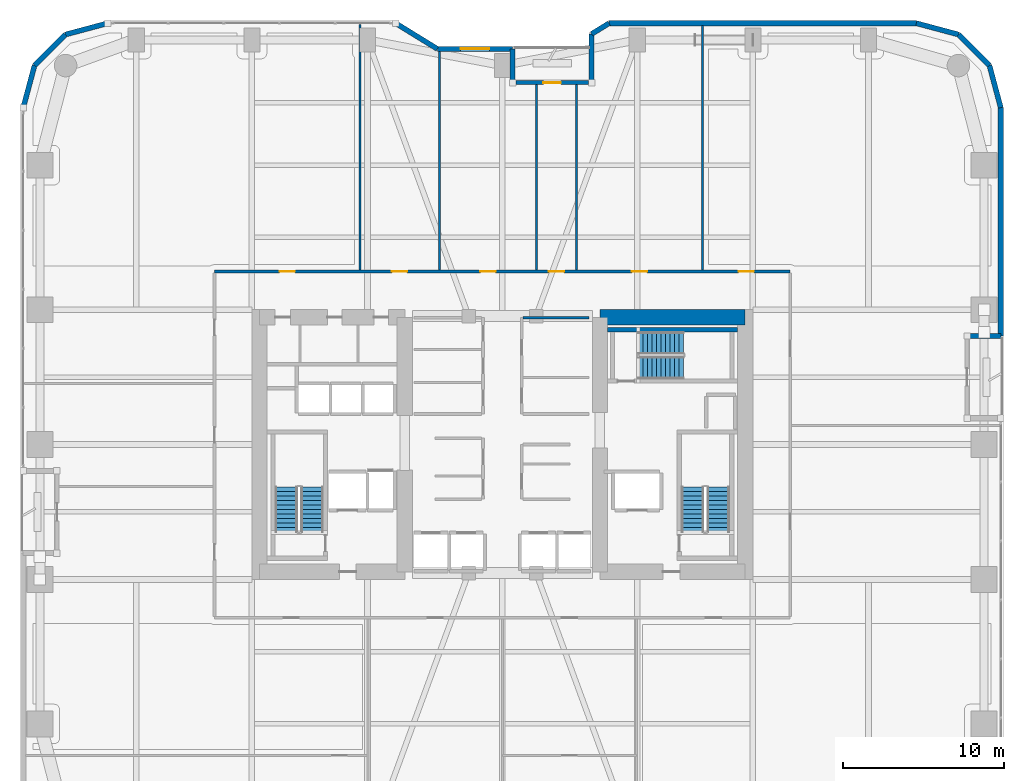
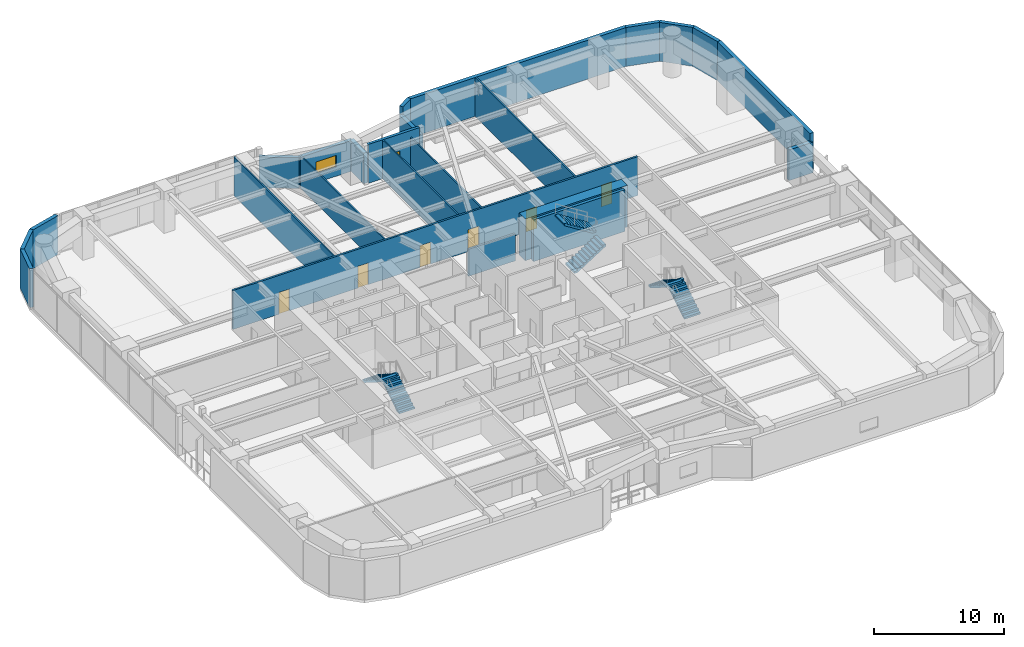
# One storey, part 25 of 28: 24 walls, 7 doors, 6 stair flights, 1 window, 8 openings, 3 elements without a shape of their own.
"""IFC4 building model written with IfcOpenShell, lengths in metres."""

from ifc_helpers import new_model, si_unit, direction, frame, frame_2d, origin, place, context, subcontext, project, spatial, polyline, rectangle, outline, extrude, material, layer, layer_set, type_object, element, fill, aggregate, save


model = new_model("IFC4")

# Units and contexts
model_context = context("Model", 3, precision=1e-05, world=origin(), true_north=direction((0.0, 1.0)))
body_context = subcontext(model_context, "Body", "Model", "MODEL_VIEW")
ifc_project = project(units=[si_unit("LENGTHUNIT", "METRE"), si_unit("AREAUNIT", "SQUARE_METRE"), si_unit("VOLUMEUNIT", "CUBIC_METRE"), si_unit("PLANEANGLEUNIT", "RADIAN"), si_unit("MASSUNIT", "GRAM", prefix="KILO")], contexts=[model_context])

# Site, building, storey
site_placement = place(None, origin())
site = spatial("IfcSite", under=ifc_project, at=site_placement, CompositionType="ELEMENT")
building_placement = place(site_placement, origin())
building = spatial("IfcBuilding", under=site, at=building_placement, Name="Kiyonajd Concourse Tower", CompositionType="ELEMENT")
storey_placement = place(building_placement, frame((0.0, 0.0, 37.199951171875)))
storey = spatial("IfcBuildingStorey", under=building, at=storey_placement, Name="L10", CompositionType="ELEMENT", Elevation=37.199951171875)

# Walls
ifc_material_1 = material(Name="Concrete C80/95", Category="concrete")
ifc_layer_1 = layer(ifc_material_1, 0.949951171875)
ifc_layer_set_1 = layer_set([ifc_layer_1], Name="Concrete C80/95")
wall_type_1 = type_object("IfcWallType", Name="WL-CORE-950", PredefinedType="SHEAR", material=ifc_layer_set_1)
wall_1_placement = place(storey_placement, frame((54.074951171875, 43.925048828125, 0.0), z_axis=(0.0, 0.0, 1.0), x_axis=(1.0, 0.0, 0.0)))
element("IfcWall", 1, at=wall_1_placement, inside=storey, type_object=wall_type_1, Name="L10 East Core North Shear Wall", PredefinedType="SHEAR", context=body_context, shape_type="SweptSolid", body=[
    extrude(rectangle(XDim=9.050048828125, YDim=0.949951171875, at=frame_2d((4.52490234375, 0.0))), origin(), (0.0, 0.0, 1.0), 3.900146484375),
])
ifc_material_2 = material(Name="Precast concrete C50/60", Category="concrete")
ifc_layer_2 = layer(ifc_material_2, 0.320068359375)
ifc_layer_set_2 = layer_set([ifc_layer_2], Name="Precast concrete C50/60")
wall_type_2 = type_object("IfcWallType", Name="WL-EXT-320", PredefinedType="SOLIDWALL", material=ifc_layer_set_2)
wall_2_placement = place(storey_placement, frame((18.159912109375, 56.97900390625, 0.0), z_axis=(0.0, 0.0, 1.0), x_axis=(0.25869736047, 0.965958423373, 0.0)))
element("IfcWall", 2, at=wall_2_placement, inside=storey, type_object=wall_type_2, Name="L10 Exterior Concrete Frame Wall 06", PredefinedType="SOLIDWALL", context=body_context, shape_type="SweptSolid", body=[
    extrude(rectangle(XDim=2.731201171875, YDim=0.320068359375, at=frame_2d((1.36572265625, 0.0))), origin(), (0.0, 0.0, 1.0), 3.64013671875),
])
wall_3_placement = place(storey_placement, frame((18.866455078125, 59.6171875, 0.0), z_axis=(0.0, 0.0, 1.0), x_axis=(0.707106781187, 0.707106781187, 0.0)))
element("IfcWall", 3, at=wall_3_placement, inside=storey, type_object=wall_type_2, Name="L10 Exterior Concrete Frame Wall 07", PredefinedType="SOLIDWALL", context=body_context, shape_type="SweptSolid", body=[
    extrude(rectangle(XDim=2.7099609375, YDim=0.320068359375, at=frame_2d((1.35498046875, 0.0))), origin(), (0.0, 0.0, 1.0), 3.64013671875),
])
wall_4_placement = place(storey_placement, frame((20.78271484375, 61.533447265625, 0.0), z_axis=(0.0, 0.0, 1.0), x_axis=(0.965964405026, 0.25867502435, 0.0)))
element("IfcWall", 4, at=wall_4_placement, inside=storey, type_object=wall_type_2, Name="L10 Exterior Concrete Frame Wall 08", PredefinedType="SOLIDWALL", context=body_context, shape_type="SweptSolid", body=[
    extrude(rectangle(XDim=2.7314453125, YDim=0.320068359375, at=frame_2d((1.36572265625, 0.0))), origin(), (0.0, 0.0, 1.0), 3.64013671875),
])
wall_5_placement = place(storey_placement, frame((41.354736328125, 62.239990234375, 0.0), z_axis=(0.0, 0.0, 1.0), x_axis=(0.851630857047, -0.524142044989, 0.0)))
element("IfcWall", 5, at=wall_5_placement, inside=storey, type_object=wall_type_2, Name="L10 Exterior Concrete Frame Wall 10", PredefinedType="SOLIDWALL", context=body_context, shape_type="SweptSolid", body=[
    extrude(rectangle(XDim=3.052734375, YDim=0.320068359375, at=frame_2d((1.5263671875, 0.0))), origin(), (0.0, 0.0, 1.0), 2.875),
])

# Wall, opening, window
wall_6_placement = place(storey_placement, frame((43.95458984375, 60.639892578125, 0.0), z_axis=(0.0, 0.0, 1.0), x_axis=(1.0, 0.0, 0.0)))
wall_6 = element("IfcWall", 6, at=wall_6_placement, inside=storey, type_object=wall_type_2, Name="L10 Exterior Concrete Frame Wall 11", PredefinedType="SOLIDWALL", context=body_context, shape_type="SweptSolid", body=[
    extrude(rectangle(XDim=4.685302734375, YDim=0.320068359375, at=frame_2d((2.3427734375, 0.0))), origin(), (0.0, 0.0, 1.0), 2.875),
])
opening_1_placement = place(wall_6_placement, frame((1.443115234375, 0.0, 0.85009765625)))
opening_1 = element("IfcOpeningElement", 7, at=opening_1_placement, cuts=wall_6, Name="Opening WN1", PredefinedType="OPENING", context=body_context, shape_type="SweptSolid", body=[
    extrude(rectangle(XDim=1.800048828125, YDim=1.10009765625, at=frame_2d((0.89990234375, 0.550048828125))), frame((0.0, 0.169921875, 0.0), z_axis=(0.0, -1.0, 0.0), x_axis=(1.0, 0.0, 0.0)), (0.0, 0.0, 1.0), 0.340087890625),
])
ifc_material_3 = material(Name="Double Low-E Insulated Glass", Category="glass")
window_type = type_object("IfcWindowType", Name="WN-VIS-1800x1100", PartitioningType="SINGLE_PANEL", PredefinedType="WINDOW", material=ifc_material_3)
window_placement = place(opening_1_placement, origin())
window = element("IfcWindow", 8, at=window_placement, inside=storey, type_object=window_type, Name="L10 Modular Facade Vision Window 11", OverallHeight=1.10009765625, OverallWidth=1.800048828125, PartitioningType="SINGLE_PANEL", PredefinedType="WINDOW", context=body_context, shape_type="SweptSolid", body=[
    extrude(rectangle(XDim=1.800048828125, YDim=1.10009765625, at=frame_2d((0.89990234375, 0.550048828125))), frame((0.0, 0.030029296875, 0.0), z_axis=(0.0, -1.0, 0.0), x_axis=(1.0, 0.0, 0.0)), (0.0, 0.0, 1.0), 0.06005859375),
])
fill(opening_1, window)

# Walls
wall_7_placement = place(storey_placement, frame((48.639892578125, 60.639892578125, 0.0), z_axis=(0.0, 0.0, 1.0), x_axis=(0.0, -1.0, 0.0)))
element("IfcWall", 9, at=wall_7_placement, inside=storey, type_object=wall_type_2, Name="L10 Exterior Concrete Frame Wall 12", PredefinedType="SOLIDWALL", context=body_context, shape_type="SweptSolid", body=[
    extrude(rectangle(XDim=2.099853515625, YDim=0.320068359375, at=frame_2d((1.0498046875, 0.0))), origin(), (0.0, 0.0, 1.0), 2.875),
])
wall_8_placement = place(storey_placement, frame((53.56005859375, 58.5400390625, 0.0), z_axis=(0.0, 0.0, 1.0), x_axis=(0.0, 1.0, 0.0)))
element("IfcWall", 10, at=wall_8_placement, inside=storey, type_object=wall_type_2, Name="L10 Exterior Concrete Frame Wall 14", PredefinedType="SOLIDWALL", context=body_context, shape_type="SweptSolid", body=[
    extrude(rectangle(XDim=3.032470703125, YDim=0.320068359375, at=frame_2d((1.51611328125, 0.0))), origin(), (0.0, 0.0, 1.0), 2.875),
])
wall_9_placement = place(storey_placement, frame((53.56005859375, 61.572509765625, 0.0), z_axis=(0.0, 0.0, 1.0), x_axis=(0.851776724646, 0.523904964045, 0.0)))
element("IfcWall", 11, at=wall_9_placement, inside=storey, type_object=wall_type_2, Name="L10 Exterior Concrete Frame Wall 15", PredefinedType="SOLIDWALL", context=body_context, shape_type="SweptSolid", body=[
    extrude(rectangle(XDim=1.274169921875, YDim=0.320068359375, at=frame_2d((0.63720703125, 0.0))), origin(), (0.0, 0.0, 1.0), 3.64013671875),
])
wall_10_placement = place(storey_placement, frame((54.645263671875, 62.239990234375, 0.0), z_axis=(0.0, 0.0, 1.0), x_axis=(1.0, 0.0, 0.0)))
element("IfcWall", 12, at=wall_10_placement, inside=storey, type_object=wall_type_2, Name="L10 Exterior Concrete Frame Wall 16", PredefinedType="SOLIDWALL", context=body_context, shape_type="SweptSolid", body=[
    extrude(rectangle(XDim=19.133544921875, YDim=0.320068359375, at=frame_2d((9.56689453125, 0.0))), origin(), (0.0, 0.0, 1.0), 3.64013671875),
])
wall_11_placement = place(storey_placement, frame((73.77880859375, 62.239990234375, 0.0), z_axis=(0.0, 0.0, 1.0), x_axis=(0.965964405026, -0.25867502435, 0.0)))
element("IfcWall", 13, at=wall_11_placement, inside=storey, type_object=wall_type_2, Name="L10 Exterior Concrete Frame Wall 17", PredefinedType="SOLIDWALL", context=body_context, shape_type="SweptSolid", body=[
    extrude(rectangle(XDim=2.7314453125, YDim=0.320068359375, at=frame_2d((1.36572265625, 0.0))), origin(), (0.0, 0.0, 1.0), 3.64013671875),
])
wall_12_placement = place(storey_placement, frame((76.417236328125, 61.533447265625, 0.0), z_axis=(0.0, 0.0, 1.0), x_axis=(0.707106781187, -0.707106781187, 0.0)))
element("IfcWall", 14, at=wall_12_placement, inside=storey, type_object=wall_type_2, Name="L10 Exterior Concrete Frame Wall 18", PredefinedType="SOLIDWALL", context=body_context, shape_type="SweptSolid", body=[
    extrude(rectangle(XDim=2.7099609375, YDim=0.320068359375, at=frame_2d((1.35498046875, 0.0))), origin(), (0.0, 0.0, 1.0), 3.64013671875),
])
wall_13_placement = place(storey_placement, frame((78.33349609375, 59.6171875, 0.0), z_axis=(0.0, 0.0, 1.0), x_axis=(0.25869736047, -0.965958423373, 0.0)))
element("IfcWall", 15, at=wall_13_placement, inside=storey, type_object=wall_type_2, Name="L10 Exterior Concrete Frame Wall 19", PredefinedType="SOLIDWALL", context=body_context, shape_type="SweptSolid", body=[
    extrude(rectangle(XDim=2.731201171875, YDim=0.320068359375, at=frame_2d((1.36572265625, 0.0))), origin(), (0.0, 0.0, 1.0), 3.64013671875),
])
wall_14_placement = place(storey_placement, frame((79.0400390625, 56.97900390625, 0.0), z_axis=(0.0, 0.0, 1.0), x_axis=(0.0, -1.0, 0.0)))
element("IfcWall", 16, at=wall_14_placement, inside=storey, type_object=wall_type_2, Name="L10 Exterior Concrete Frame Wall 20", PredefinedType="SOLIDWALL", context=body_context, shape_type="SweptSolid", body=[
    extrude(rectangle(XDim=14.218994140625, YDim=0.320068359375, at=frame_2d((7.109375, 0.0))), origin(), (0.0, 0.0, 1.0), 3.64013671875),
])
wall_15_placement = place(storey_placement, frame((79.0400390625, 42.760009765625, 0.0), z_axis=(0.0, 0.0, 1.0), x_axis=(-1.0, 0.0, 0.0)))
element("IfcWall", 17, at=wall_15_placement, inside=storey, type_object=wall_type_2, Name="L10 Exterior Concrete Frame Wall 21", PredefinedType="SOLIDWALL", context=body_context, shape_type="SweptSolid", body=[
    extrude(rectangle(XDim=2.10009765625, YDim=0.320068359375, at=frame_2d((1.050048828125, 0.0))), origin(), (0.0, 0.0, 1.0), 2.875),
])

# Wall, opening, door
ifc_layer_3 = layer(ifc_material_2, 0.239990234375)
ifc_layer_set_3 = layer_set([ifc_layer_3], Name="Precast concrete C50/60")
wall_type_3 = type_object("IfcWallType", Name="WL-LOG-240", PredefinedType="SOLIDWALL", material=ifc_layer_set_3)
wall_16_placement = place(storey_placement, frame((48.8349609375, 58.5400390625, 0.0), z_axis=(0.0, 0.0, 1.0), x_axis=(1.0, 0.0, 0.0)))
wall_16 = element("IfcWall", 18, at=wall_16_placement, inside=storey, type_object=wall_type_3, Name="L10 Recessed Loggia Thermal Wall LOG-N", PredefinedType="SOLIDWALL", context=body_context, shape_type="SweptSolid", body=[
    extrude(rectangle(XDim=4.530029296875, YDim=0.239990234375, at=frame_2d((2.26513671875, 0.0))), origin(), (0.0, 0.0, 1.0), 3.64013671875),
])
opening_2_placement = place(wall_16_placement, frame((1.715087890625, 0.0, 0.0)))
opening_2 = element("IfcOpeningElement", 19, at=opening_2_placement, cuts=wall_16, Name="Opening DL2", PredefinedType="OPENING", context=body_context, shape_type="SweptSolid", body=[
    extrude(rectangle(XDim=1.10009765625, YDim=2.0400390625, at=frame_2d((0.550048828125, 1.02001953125))), frame((0.0, 0.1298828125, 0.0), z_axis=(0.0, -1.0, 0.0), x_axis=(1.0, 0.0, 0.0)), (0.0, 0.0, 1.0), 0.260009765625),
])
ifc_material_4 = material(Name="Thermally Broken Anodised Aluminium", Category="aluminium")
door_type_1 = type_object("IfcDoorType", Name="DR-LOG-1100", OperationType="NOTDEFINED", PredefinedType="DOOR", material=ifc_material_4)
door_1_placement = place(opening_2_placement, origin())
door_1 = element("IfcDoor", 20, at=door_1_placement, inside=storey, type_object=door_type_1, Name="L10 Engawa Loggia Access Door LOG-N", OperationType="SINGLE_SWING_RIGHT", OverallHeight=2.0400390625, OverallWidth=1.10009765625, PredefinedType="DOOR", context=body_context, shape_type="SweptSolid", body=[
    extrude(rectangle(XDim=1.10009765625, YDim=2.0400390625, at=frame_2d((0.550048828125, 1.02001953125))), frame((0.0, 0.02490234375, 0.0), z_axis=(0.0, -1.0, 0.0), x_axis=(1.0, 0.0, 0.0)), (0.0, 0.0, 1.0), 0.050048828125),
])
fill(opening_2, door_1)

# Walls
ifc_material_5 = material(Name="Gypsum Board on Cold-Formed Steel Stud", Category="steel")
ifc_layer_4 = layer(ifc_material_5, 0.125)
ifc_layer_set_4 = layer_set([ifc_layer_4], Name="Gypsum Board on Cold-Formed Steel Stud")
wall_type_4 = type_object("IfcWallType", Name="WL-PART-125", PredefinedType="PARTITIONING", material=ifc_layer_set_4)
wall_17_placement = place(storey_placement, frame((39.1298828125, 46.866943359375, 0.0), z_axis=(0.0, 0.0, 1.0), x_axis=(0.0, 1.0, 0.0)))
element("IfcWall", 21, at=wall_17_placement, inside=storey, type_object=wall_type_4, Name="L10 Interior Partition Wall", PredefinedType="PARTITIONING", context=body_context, shape_type="SweptSolid", body=[
    extrude(rectangle(XDim=15.2880859375, YDim=0.125, at=frame_2d((7.64404296875, 0.0))), origin(), (0.0, 0.0, 1.0), 3.64013671875),
])
wall_18_placement = place(storey_placement, frame((44.070068359375, 46.866943359375, 0.0), z_axis=(0.0, 0.0, 1.0), x_axis=(0.0, 1.0, 0.0)))
element("IfcWall", 22, at=wall_18_placement, inside=storey, type_object=wall_type_4, Name="L10 Interior Partition Wall", PredefinedType="PARTITIONING", context=body_context, shape_type="SweptSolid", body=[
    extrude(rectangle(XDim=13.6181640625, YDim=0.125, at=frame_2d((6.80908203125, 0.0))), origin(), (0.0, 0.0, 1.0), 3.0029296875),
])
wall_19_placement = place(storey_placement, frame((50.1298828125, 46.866943359375, 0.0), z_axis=(0.0, 0.0, 1.0), x_axis=(0.0, 1.0, 0.0)))
element("IfcWall", 23, at=wall_19_placement, inside=storey, type_object=wall_type_4, Name="L10 Interior Partition Wall", PredefinedType="PARTITIONING", context=body_context, shape_type="SweptSolid", body=[
    extrude(rectangle(XDim=11.55810546875, YDim=0.125, at=frame_2d((5.779052734375, 0.0))), origin(), (0.0, 0.0, 1.0), 3.64013671875),
])
wall_20_placement = place(storey_placement, frame((52.610107421875, 46.866943359375, 0.0), z_axis=(0.0, 0.0, 1.0), x_axis=(0.0, 1.0, 0.0)))
element("IfcWall", 24, at=wall_20_placement, inside=storey, type_object=wall_type_4, Name="L10 Interior Partition Wall", PredefinedType="PARTITIONING", context=body_context, shape_type="SweptSolid", body=[
    extrude(rectangle(XDim=11.55810546875, YDim=0.125, at=frame_2d((5.779052734375, 0.0))), origin(), (0.0, 0.0, 1.0), 3.0029296875),
])
wall_21_placement = place(storey_placement, frame((60.4599609375, 46.866943359375, 0.0), z_axis=(0.0, 0.0, 1.0), x_axis=(0.0, 1.0, 0.0)))
element("IfcWall", 25, at=wall_21_placement, inside=storey, type_object=wall_type_4, Name="L10 Interior Partition Wall", PredefinedType="PARTITIONING", context=body_context, shape_type="SweptSolid", body=[
    extrude(rectangle(XDim=15.218017578125, YDim=0.125, at=frame_2d((7.60888671875, 0.0))), origin(), (0.0, 0.0, 1.0), 3.64013671875),
])
ifc_layer_5 = layer(ifc_material_5, 0.169921875)
ifc_layer_set_5 = layer_set([ifc_layer_5], Name="Gypsum Board on Cold-Formed Steel Stud")
wall_type_5 = type_object("IfcWallType", Name="WL-SMK-170", PredefinedType="PARTITIONING", material=ifc_layer_set_5)
wall_22_placement = place(storey_placement, frame((49.287109375, 43.89990234375, 0.0), z_axis=(0.0, 0.0, 1.0), x_axis=(1.0, 0.0, 0.0)))
element("IfcWall", 26, at=wall_22_placement, inside=storey, type_object=wall_type_5, Name="L10 Interior Partition Wall", PredefinedType="PARTITIONING", context=body_context, shape_type="SweptSolid", body=[
    extrude(rectangle(XDim=4.11279296875, YDim=0.169921875, at=frame_2d((2.056396484375, 0.0))), origin(), (0.0, 0.0, 1.0), 2.525146484375),
])

# Wall, openings, doors
wall_23_placement = place(storey_placement, frame((30.074951171875, 46.780029296875, 0.0), z_axis=(0.0, 0.0, 1.0), x_axis=(1.0, 0.0, 0.0)))
wall_23 = element("IfcWall", 27, at=wall_23_placement, inside=storey, type_object=wall_type_5, Name="L10 Interior Partition Wall", PredefinedType="PARTITIONING", context=body_context, shape_type="SweptSolid", body=[
    extrude(rectangle(XDim=35.85009765625, YDim=0.169921875, at=frame_2d((17.925048828125, 0.0))), origin(), (0.0, 0.0, 1.0), 3.64013671875),
])
opening_3_placement = place(wall_23_placement, frame((4.052978515625, 0.0, 0.0)))
opening_3 = element("IfcOpeningElement", 28, at=opening_3_placement, cuts=wall_23, Name="Opening DI1", PredefinedType="OPENING", context=body_context, shape_type="SweptSolid", body=[
    extrude(rectangle(XDim=0.949951171875, YDim=2.0400390625, at=frame_2d((0.47509765625, 1.02001953125))), frame((0.0, 0.094970703125, 0.0), z_axis=(0.0, -1.0, 0.0), x_axis=(1.0, 0.0, 0.0)), (0.0, 0.0, 1.0), 0.18994140625),
])
opening_4_placement = place(wall_23_placement, frame((11.050048828125, 0.0, 0.0)))
opening_4 = element("IfcOpeningElement", 29, at=opening_4_placement, cuts=wall_23, Name="Opening DI1", PredefinedType="OPENING", context=body_context, shape_type="SweptSolid", body=[
    extrude(rectangle(XDim=0.949951171875, YDim=2.0400390625, at=frame_2d((0.47509765625, 1.02001953125))), frame((0.0, 0.094970703125, 0.0), z_axis=(0.0, -1.0, 0.0), x_axis=(1.0, 0.0, 0.0)), (0.0, 0.0, 1.0), 0.18994140625),
])
opening_5_placement = place(wall_23_placement, frame((16.550048828125, 0.0, 0.0)))
opening_5 = element("IfcOpeningElement", 30, at=opening_5_placement, cuts=wall_23, Name="Opening DI1", PredefinedType="OPENING", context=body_context, shape_type="SweptSolid", body=[
    extrude(rectangle(XDim=0.949951171875, YDim=2.0400390625, at=frame_2d((0.47509765625, 1.02001953125))), frame((0.0, 0.094970703125, 0.0), z_axis=(0.0, -1.0, 0.0), x_axis=(1.0, 0.0, 0.0)), (0.0, 0.0, 1.0), 0.18994140625),
])
opening_6_placement = place(wall_23_placement, frame((20.820068359375, 0.0, 0.0)))
opening_6 = element("IfcOpeningElement", 31, at=opening_6_placement, cuts=wall_23, Name="Opening DI1", PredefinedType="OPENING", context=body_context, shape_type="SweptSolid", body=[
    extrude(rectangle(XDim=0.949951171875, YDim=2.0400390625, at=frame_2d((0.47509765625, 1.02001953125))), frame((0.0, 0.094970703125, 0.0), z_axis=(0.0, -1.0, 0.0), x_axis=(1.0, 0.0, 0.0)), (0.0, 0.0, 1.0), 0.18994140625),
])
opening_7_placement = place(wall_23_placement, frame((25.985107421875, 0.0, 0.0)))
opening_7 = element("IfcOpeningElement", 32, at=opening_7_placement, cuts=wall_23, Name="Opening DI1", PredefinedType="OPENING", context=body_context, shape_type="SweptSolid", body=[
    extrude(rectangle(XDim=0.949951171875, YDim=2.0400390625, at=frame_2d((0.47509765625, 1.02001953125))), frame((0.0, 0.094970703125, 0.0), z_axis=(0.0, -1.0, 0.0), x_axis=(1.0, 0.0, 0.0)), (0.0, 0.0, 1.0), 0.18994140625),
])
opening_8_placement = place(wall_23_placement, frame((32.64306640625, 0.0, 0.0)))
opening_8 = element("IfcOpeningElement", 33, at=opening_8_placement, cuts=wall_23, Name="Opening DI1", PredefinedType="OPENING", context=body_context, shape_type="SweptSolid", body=[
    extrude(rectangle(XDim=0.949951171875, YDim=2.0400390625, at=frame_2d((0.47509765625, 1.02001953125))), frame((0.0, 0.094970703125, 0.0), z_axis=(0.0, -1.0, 0.0), x_axis=(1.0, 0.0, 0.0)), (0.0, 0.0, 1.0), 0.18994140625),
])
ifc_material_6 = material(Name="Natural Oak Acoustic Timber Veneer", Category="wood")
door_type_2 = type_object("IfcDoorType", Name="DR-INT-950", OperationType="NOTDEFINED", PredefinedType="DOOR", material=ifc_material_6)
door_2_placement = place(opening_3_placement, origin())
door_2 = element("IfcDoor", 34, at=door_2_placement, inside=storey, type_object=door_type_2, Name="L10 Interior Door", OperationType="SINGLE_SWING_RIGHT", OverallHeight=2.0400390625, OverallWidth=0.949951171875, PredefinedType="DOOR", context=body_context, shape_type="SweptSolid", body=[
    extrude(rectangle(XDim=0.949951171875, YDim=2.0400390625, at=frame_2d((0.47509765625, 1.02001953125))), frame((0.0, 0.02490234375, 0.0), z_axis=(0.0, -1.0, 0.0), x_axis=(1.0, 0.0, 0.0)), (0.0, 0.0, 1.0), 0.050048828125),
])
fill(opening_3, door_2)
door_3_placement = place(opening_4_placement, origin())
door_3 = element("IfcDoor", 35, at=door_3_placement, inside=storey, type_object=door_type_2, Name="L10 Interior Door", OperationType="SINGLE_SWING_LEFT", OverallHeight=2.0400390625, OverallWidth=0.949951171875, PredefinedType="DOOR", context=body_context, shape_type="SweptSolid", body=[
    extrude(rectangle(XDim=0.949951171875, YDim=2.0400390625, at=frame_2d((0.47509765625, 1.02001953125))), frame((0.0, 0.02490234375, 0.0), z_axis=(0.0, -1.0, 0.0), x_axis=(1.0, 0.0, 0.0)), (0.0, 0.0, 1.0), 0.050048828125),
])
fill(opening_4, door_3)
door_4_placement = place(opening_5_placement, origin())
door_4 = element("IfcDoor", 36, at=door_4_placement, inside=storey, type_object=door_type_2, Name="L10 Interior Door", OperationType="SINGLE_SWING_RIGHT", OverallHeight=2.0400390625, OverallWidth=0.949951171875, PredefinedType="DOOR", context=body_context, shape_type="SweptSolid", body=[
    extrude(rectangle(XDim=0.949951171875, YDim=2.0400390625, at=frame_2d((0.47509765625, 1.02001953125))), frame((0.0, 0.02490234375, 0.0), z_axis=(0.0, -1.0, 0.0), x_axis=(1.0, 0.0, 0.0)), (0.0, 0.0, 1.0), 0.050048828125),
])
fill(opening_5, door_4)
door_5_placement = place(opening_6_placement, origin())
door_5 = element("IfcDoor", 37, at=door_5_placement, inside=storey, type_object=door_type_2, Name="L10 Interior Door", OperationType="SINGLE_SWING_LEFT", OverallHeight=2.0400390625, OverallWidth=0.949951171875, PredefinedType="DOOR", context=body_context, shape_type="SweptSolid", body=[
    extrude(rectangle(XDim=0.949951171875, YDim=2.0400390625, at=frame_2d((0.47509765625, 1.02001953125))), frame((0.0, 0.02490234375, 0.0), z_axis=(0.0, -1.0, 0.0), x_axis=(1.0, 0.0, 0.0)), (0.0, 0.0, 1.0), 0.050048828125),
])
fill(opening_6, door_5)
door_6_placement = place(opening_7_placement, origin())
door_6 = element("IfcDoor", 38, at=door_6_placement, inside=storey, type_object=door_type_2, Name="L10 Interior Door", OperationType="SINGLE_SWING_RIGHT", OverallHeight=2.0400390625, OverallWidth=0.949951171875, PredefinedType="DOOR", context=body_context, shape_type="SweptSolid", body=[
    extrude(rectangle(XDim=0.949951171875, YDim=2.0400390625, at=frame_2d((0.47509765625, 1.02001953125))), frame((0.0, 0.02490234375, 0.0), z_axis=(0.0, -1.0, 0.0), x_axis=(1.0, 0.0, 0.0)), (0.0, 0.0, 1.0), 0.050048828125),
])
fill(opening_7, door_6)
door_7_placement = place(opening_8_placement, origin())
door_7 = element("IfcDoor", 39, at=door_7_placement, inside=storey, type_object=door_type_2, Name="L10 Interior Door", OperationType="SINGLE_SWING_LEFT", OverallHeight=2.0400390625, OverallWidth=0.949951171875, PredefinedType="DOOR", context=body_context, shape_type="SweptSolid", body=[
    extrude(rectangle(XDim=0.949951171875, YDim=2.0400390625, at=frame_2d((0.47509765625, 1.02001953125))), frame((0.0, 0.02490234375, 0.0), z_axis=(0.0, -1.0, 0.0), x_axis=(1.0, 0.0, 0.0)), (0.0, 0.0, 1.0), 0.050048828125),
])
fill(opening_8, door_7)

# Wall
ifc_material_7 = material(Name="Concrete C50/60", Category="concrete")
ifc_layer_6 = layer(ifc_material_7, 0.260009765625)
ifc_layer_set_6 = layer_set([ifc_layer_6], Name="Concrete C50/60")
wall_type_6 = type_object("IfcWallType", Name="WL-STAIR-260", PredefinedType="SHEAR", material=ifc_layer_set_6)
wall_24_placement = place(storey_placement, frame((54.550048828125, 43.14990234375, 0.0), z_axis=(0.0, 0.0, 1.0), x_axis=(1.0, 0.0, 0.0)))
element("IfcWall", 40, at=wall_24_placement, inside=storey, type_object=wall_type_6, Name="L10 Stair ST3 Structural North Wall", PredefinedType="SHEAR", context=body_context, shape_type="SweptSolid", body=[
    extrude(rectangle(XDim=8.099853515625, YDim=0.260009765625, at=frame_2d((4.0498046875, 0.0))), origin(), (0.0, 0.0, 1.0), 3.900146484375),
])

# Stair, stair flights
ifc_material_8 = material(Name="Concrete C40/50", Category="concrete")
stair_type = type_object("IfcStairType", Name="ST-DLG-22R", PredefinedType="HALF_TURN_STAIR", material=ifc_material_8)
stair_1_placement = place(storey_placement, origin())
stair_1 = element("IfcStair", 41, at=stair_1_placement, inside=storey, type_object=stair_type, Name="L10 Protected Exit Stair ST1", PredefinedType="HALF_TURN_STAIR")
stair_flight_type = type_object("IfcStairFlightType", Name="SF-STR-22R", PredefinedType="STRAIGHT", material=ifc_material_8)
stair_flight_1_placement = place(storey_placement, frame((36.14990234375, 30.550048828125, 0.0), z_axis=(0.0, 0.0, 1.0), x_axis=(0.0, 1.0, 0.0)))
stair_flight_1 = element("IfcStairFlight", 42, at=stair_flight_1_placement, type_object=stair_flight_type, Name="ST1 flight 1", NumberOfRisers=11, NumberOfTreads=10, PredefinedType="STRAIGHT", RiserHeight=0.177272727, TreadLength=0.28, context=body_context, shape_type="SweptSolid", body=[
    extrude(outline(polyline([(0.0, 0.0), (0.0, 0.17724609375), (0.280029296875, 0.17724609375), (0.280029296875, 0.3544921875), (0.56005859375, 0.3544921875), (0.56005859375, 0.53173828125), (0.840087890625, 0.53173828125), (0.840087890625, 0.708984375), (1.1201171875, 0.708984375), (1.1201171875, 0.886474609375), (1.39990234375, 0.886474609375), (1.39990234375, 1.063720703125), (1.679931640625, 1.063720703125), (1.679931640625, 1.240966796875), (1.9599609375, 1.240966796875), (1.9599609375, 1.418212890625), (2.239990234375, 1.418212890625), (2.239990234375, 1.595458984375), (2.52001953125, 1.595458984375), (2.52001953125, 1.772705078125), (2.800048828125, 1.772705078125), (2.800048828125, 1.949951171875), (2.800048828125, 1.59521484375), (0.2802734375, 0.0), (0.0, 0.0)])), frame((0.0, 0.699951171875, 0.0), z_axis=(0.0, -1.0, 0.0), x_axis=(1.0, 0.0, 0.0)), (0.0, 0.0, 1.0), 1.39990234375),
])
stair_flight_2_placement = place(storey_placement, frame((34.550048828125, 33.35009765625, 1.949951171875), z_axis=(0.0, 0.0, 1.0), x_axis=(0.0, -1.0, 0.0)))
stair_flight_2 = element("IfcStairFlight", 43, at=stair_flight_2_placement, type_object=stair_flight_type, Name="ST1 flight 2", NumberOfRisers=11, NumberOfTreads=10, PredefinedType="STRAIGHT", RiserHeight=0.177272727, TreadLength=0.28, context=body_context, shape_type="SweptSolid", body=[
    extrude(outline(polyline([(0.0, 0.0), (0.0, 0.17724609375), (0.280029296875, 0.17724609375), (0.280029296875, 0.3544921875), (0.56005859375, 0.3544921875), (0.56005859375, 0.53173828125), (0.840087890625, 0.53173828125), (0.840087890625, 0.708984375), (1.1201171875, 0.708984375), (1.1201171875, 0.886474609375), (1.39990234375, 0.886474609375), (1.39990234375, 1.063720703125), (1.679931640625, 1.063720703125), (1.679931640625, 1.240966796875), (1.9599609375, 1.240966796875), (1.9599609375, 1.418212890625), (2.239990234375, 1.418212890625), (2.239990234375, 1.595458984375), (2.52001953125, 1.595458984375), (2.52001953125, 1.772705078125), (2.800048828125, 1.772705078125), (2.800048828125, 1.949951171875), (2.800048828125, 1.59521484375), (0.2802734375, 0.0), (0.0, 0.0)])), frame((0.0, 0.699951171875, 0.0), z_axis=(0.0, -1.0, 0.0), x_axis=(1.0, 0.0, 0.0)), (0.0, 0.0, 1.0), 1.39990234375),
])
aggregate(stair_1, [stair_flight_1, stair_flight_2])

stair_2_placement = place(storey_placement, origin())
stair_2 = element("IfcStair", 44, at=stair_2_placement, inside=storey, type_object=stair_type, Name="L10 Protected Exit Stair ST2", PredefinedType="HALF_TURN_STAIR")
stair_flight_3_placement = place(storey_placement, frame((61.449951171875, 30.550048828125, 0.0), z_axis=(0.0, 0.0, 1.0), x_axis=(0.0, 1.0, 0.0)))
stair_flight_3 = element("IfcStairFlight", 45, at=stair_flight_3_placement, type_object=stair_flight_type, Name="ST2 flight 1", NumberOfRisers=11, NumberOfTreads=10, PredefinedType="STRAIGHT", RiserHeight=0.177272727, TreadLength=0.28, context=body_context, shape_type="SweptSolid", body=[
    extrude(outline(polyline([(0.0, 0.0), (0.0, 0.17724609375), (0.280029296875, 0.17724609375), (0.280029296875, 0.3544921875), (0.56005859375, 0.3544921875), (0.56005859375, 0.53173828125), (0.840087890625, 0.53173828125), (0.840087890625, 0.708984375), (1.1201171875, 0.708984375), (1.1201171875, 0.886474609375), (1.39990234375, 0.886474609375), (1.39990234375, 1.063720703125), (1.679931640625, 1.063720703125), (1.679931640625, 1.240966796875), (1.9599609375, 1.240966796875), (1.9599609375, 1.418212890625), (2.239990234375, 1.418212890625), (2.239990234375, 1.595458984375), (2.52001953125, 1.595458984375), (2.52001953125, 1.772705078125), (2.800048828125, 1.772705078125), (2.800048828125, 1.949951171875), (2.800048828125, 1.59521484375), (0.2802734375, 0.0), (0.0, 0.0)])), frame((0.0, 0.699951171875, 0.0), z_axis=(0.0, -1.0, 0.0), x_axis=(1.0, 0.0, 0.0)), (0.0, 0.0, 1.0), 1.39990234375),
])
stair_flight_4_placement = place(storey_placement, frame((59.85009765625, 33.35009765625, 1.949951171875), z_axis=(0.0, 0.0, 1.0), x_axis=(0.0, -1.0, 0.0)))
stair_flight_4 = element("IfcStairFlight", 46, at=stair_flight_4_placement, type_object=stair_flight_type, Name="ST2 flight 2", NumberOfRisers=11, NumberOfTreads=10, PredefinedType="STRAIGHT", RiserHeight=0.177272727, TreadLength=0.28, context=body_context, shape_type="SweptSolid", body=[
    extrude(outline(polyline([(0.0, 0.0), (0.0, 0.17724609375), (0.280029296875, 0.17724609375), (0.280029296875, 0.3544921875), (0.56005859375, 0.3544921875), (0.56005859375, 0.53173828125), (0.840087890625, 0.53173828125), (0.840087890625, 0.708984375), (1.1201171875, 0.708984375), (1.1201171875, 0.886474609375), (1.39990234375, 0.886474609375), (1.39990234375, 1.063720703125), (1.679931640625, 1.063720703125), (1.679931640625, 1.240966796875), (1.9599609375, 1.240966796875), (1.9599609375, 1.418212890625), (2.239990234375, 1.418212890625), (2.239990234375, 1.595458984375), (2.52001953125, 1.595458984375), (2.52001953125, 1.772705078125), (2.800048828125, 1.772705078125), (2.800048828125, 1.949951171875), (2.800048828125, 1.59521484375), (0.2802734375, 0.0), (0.0, 0.0)])), frame((0.0, 0.699951171875, 0.0), z_axis=(0.0, -1.0, 0.0), x_axis=(1.0, 0.0, 0.0)), (0.0, 0.0, 1.0), 1.39990234375),
])
aggregate(stair_2, [stair_flight_3, stair_flight_4])

stair_3_placement = place(storey_placement, origin())
stair_3 = element("IfcStair", 47, at=stair_3_placement, inside=storey, type_object=stair_type, Name="L10 Protected Exit Stair ST3", PredefinedType="HALF_TURN_STAIR")
stair_flight_5_placement = place(storey_placement, frame((56.47998046875, 40.780029296875, 0.0), z_axis=(0.0, 0.0, 1.0), x_axis=(1.0, 0.0, 0.0)))
stair_flight_5 = element("IfcStairFlight", 48, at=stair_flight_5_placement, type_object=stair_flight_type, Name="ST3 flight 1", NumberOfRisers=11, NumberOfTreads=10, PredefinedType="STRAIGHT", RiserHeight=0.177272727, TreadLength=0.28, context=body_context, shape_type="SweptSolid", body=[
    extrude(outline(polyline([(0.0, 0.0), (0.0, 0.17724609375), (0.280029296875, 0.17724609375), (0.280029296875, 0.3544921875), (0.56005859375, 0.3544921875), (0.56005859375, 0.53173828125), (0.840087890625, 0.53173828125), (0.840087890625, 0.708984375), (1.1201171875, 0.708984375), (1.1201171875, 0.886474609375), (1.39990234375, 0.886474609375), (1.39990234375, 1.063720703125), (1.679931640625, 1.063720703125), (1.679931640625, 1.240966796875), (1.9599609375, 1.240966796875), (1.9599609375, 1.418212890625), (2.239990234375, 1.418212890625), (2.239990234375, 1.595458984375), (2.52001953125, 1.595458984375), (2.52001953125, 1.772705078125), (2.800048828125, 1.772705078125), (2.800048828125, 1.949951171875), (2.800048828125, 1.59521484375), (0.2802734375, 0.0), (0.0, 0.0)])), frame((0.0, 0.699951171875, 0.0), z_axis=(0.0, -1.0, 0.0), x_axis=(1.0, 0.0, 0.0)), (0.0, 0.0, 1.0), 1.39990234375),
])
stair_flight_6_placement = place(storey_placement, frame((59.280029296875, 42.320068359375, 1.949951171875), z_axis=(0.0, 0.0, 1.0), x_axis=(-1.0, 0.0, 0.0)))
stair_flight_6 = element("IfcStairFlight", 49, at=stair_flight_6_placement, type_object=stair_flight_type, Name="ST3 flight 2", NumberOfRisers=11, NumberOfTreads=10, PredefinedType="STRAIGHT", RiserHeight=0.177272727, TreadLength=0.28, context=body_context, shape_type="SweptSolid", body=[
    extrude(outline(polyline([(0.0, 0.0), (0.0, 0.17724609375), (0.280029296875, 0.17724609375), (0.280029296875, 0.3544921875), (0.56005859375, 0.3544921875), (0.56005859375, 0.53173828125), (0.840087890625, 0.53173828125), (0.840087890625, 0.708984375), (1.1201171875, 0.708984375), (1.1201171875, 0.886474609375), (1.39990234375, 0.886474609375), (1.39990234375, 1.063720703125), (1.679931640625, 1.063720703125), (1.679931640625, 1.240966796875), (1.9599609375, 1.240966796875), (1.9599609375, 1.418212890625), (2.239990234375, 1.418212890625), (2.239990234375, 1.595458984375), (2.52001953125, 1.595458984375), (2.52001953125, 1.772705078125), (2.800048828125, 1.772705078125), (2.800048828125, 1.949951171875), (2.800048828125, 1.59521484375), (0.2802734375, 0.0), (0.0, 0.0)])), frame((0.0, 0.699951171875, 0.0), z_axis=(0.0, -1.0, 0.0), x_axis=(1.0, 0.0, 0.0)), (0.0, 0.0, 1.0), 1.39990234375),
])
aggregate(stair_3, [stair_flight_5, stair_flight_6])

save(model, "model.ifc")
